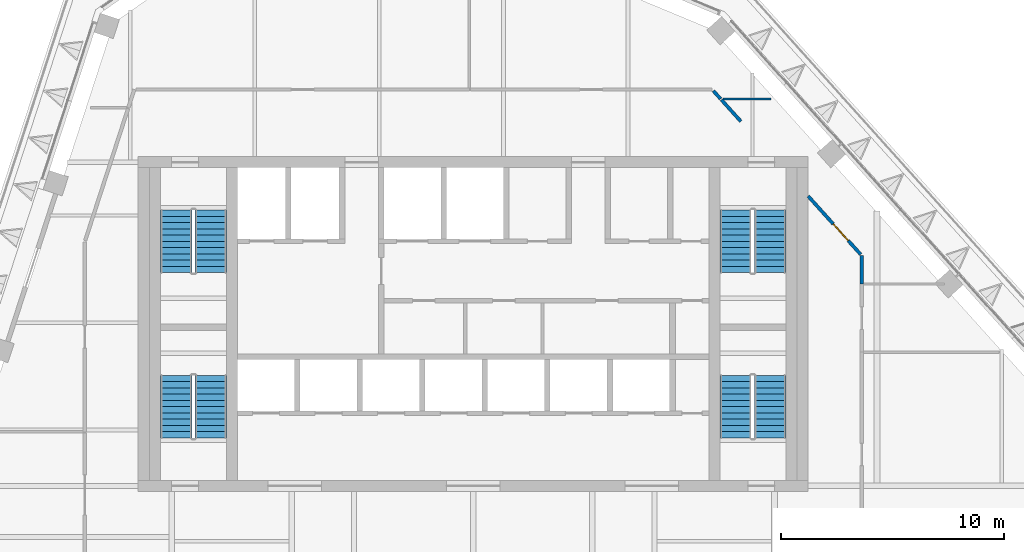
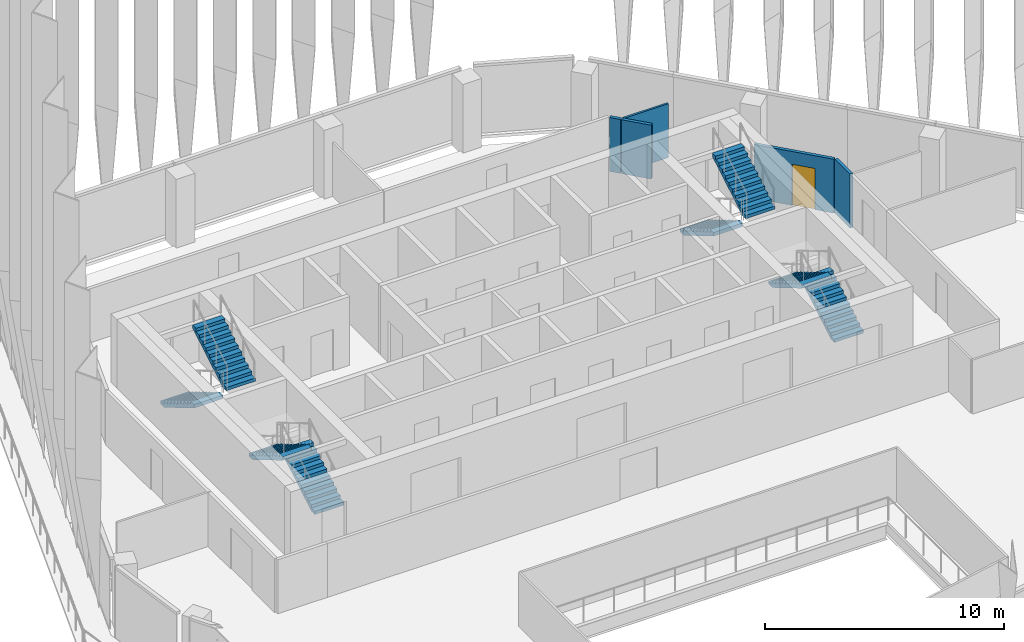
# One storey, part 10 of 21: 8 stair flights, 5 walls, 1 door, 1 opening, 4 elements without a shape of their own.
"""IFC4 building model written with IfcOpenShell, lengths in metres."""

from ifc_helpers import new_model, si_unit, direction, frame, frame_2d, origin, place, context, subcontext, project, spatial, polyline, rectangle, outline, extrude, material, layer, layer_set, type_object, element, fill, aggregate, save


model = new_model("IFC4")

# Units and contexts
model_context = context("Model", 3, precision=1e-05, world=origin(), true_north=direction((0.0, 1.0)))
body_context = subcontext(model_context, "Body", "Model", "MODEL_VIEW")
ifc_project = project(units=[si_unit("LENGTHUNIT", "METRE"), si_unit("AREAUNIT", "SQUARE_METRE"), si_unit("VOLUMEUNIT", "CUBIC_METRE"), si_unit("PLANEANGLEUNIT", "RADIAN"), si_unit("MASSUNIT", "GRAM", prefix="KILO")], contexts=[model_context])

# Site, building, storey
site_placement = place(None, origin())
site = spatial("IfcSite", under=ifc_project, at=site_placement, CompositionType="ELEMENT")
building_placement = place(site_placement, origin())
building = spatial("IfcBuilding", under=site, at=building_placement, Name="Isthmus Gate Tower", CompositionType="ELEMENT")
storey_placement = place(building_placement, frame((0.0, 0.0, 260.949951171875)))
storey = spatial("IfcBuildingStorey", under=building, at=storey_placement, Name="L66", CompositionType="ELEMENT", Elevation=260.949951171875)

# Walls
ifc_material_1 = material(Name="Gypsum board on steel studs, fire-rated", Category="steel")
ifc_layer_1 = layer(ifc_material_1, 0.14990234375)
ifc_layer_set_1 = layer_set([ifc_layer_1], Name="CORRIDOR WALL 150 60 MIN")
wall_type_1 = type_object("IfcWallType", Name="CORRIDOR WALL 150 60 MIN", PredefinedType="PARTITIONING", material=ifc_layer_set_1)
wall_1_placement = place(storey_placement, frame((17.39990234375, 10.56103515625, 0.0), z_axis=(0.0, 0.0, 1.0), x_axis=(0.0, -1.0, 0.0)))
element("IfcWall", 1, at=wall_1_placement, inside=storey, type_object=wall_type_1, Name="L66 Corridor Wall 150 60 Min", PredefinedType="PARTITIONING", context=body_context, shape_type="SweptSolid", body=[
    extrude(rectangle(XDim=1.27099609375, YDim=0.14990234375, at=frame_2d((0.635498046875, 0.0))), origin(), (0.0, 0.0, 1.0), 2.750732421875),
])
wall_2_placement = place(storey_placement, frame((10.752197265625, 17.9443359375, 0.0), z_axis=(0.0, 0.0, 1.0), x_axis=(0.669019774343, -0.74324460411, 0.0)))
element("IfcWall", 2, at=wall_2_placement, inside=storey, type_object=wall_type_1, Name="L66 Corridor Wall 150 60 Min", PredefinedType="PARTITIONING", context=body_context, shape_type="SweptSolid", body=[
    extrude(rectangle(XDim=0.489990234375, YDim=0.14990234375, at=frame_2d((0.2451171875, 0.0))), origin(), (0.0, 0.0, 1.0), 2.750732421875),
])
wall_3_placement = place(storey_placement, frame((11.113525390625, 17.542724609375, 0.0), z_axis=(0.0, 0.0, 1.0), x_axis=(0.669172057426, -0.743107500675, 0.0)))
element("IfcWall", 3, at=wall_3_placement, inside=storey, type_object=wall_type_1, Name="L66 Corridor Wall 150 60 Min", PredefinedType="PARTITIONING", context=body_context, shape_type="SweptSolid", body=[
    extrude(rectangle(XDim=1.301025390625, YDim=0.14990234375, at=frame_2d((0.650390625, 0.0))), origin(), (0.0, 0.0, 1.0), 2.750732421875),
])

# Wall, opening, door
wall_4_placement = place(storey_placement, frame((15.0, 13.22607421875, 0.0), z_axis=(0.0, 0.0, 1.0), x_axis=(0.669187491984, -0.743093601488, 0.0)))
wall_4 = element("IfcWall", 4, at=wall_4_placement, inside=storey, type_object=wall_type_1, Name="L66 Corridor Wall 150 60 Min", PredefinedType="PARTITIONING", context=body_context, shape_type="SweptSolid", body=[
    extrude(rectangle(XDim=3.511474609375, YDim=0.14990234375, at=frame_2d((1.755859375, 0.0))), origin(), (0.0, 0.0, 1.0), 2.750732421875),
])
opening_placement = place(wall_4_placement, frame((1.677001953125, 0.0, 0.0)))
opening = element("IfcOpeningElement", 5, at=opening_placement, cuts=wall_4, Name="Opening DT-T6A-03", PredefinedType="OPENING", context=body_context, shape_type="SweptSolid", body=[
    extrude(rectangle(XDim=1.0, YDim=2.10009765625, at=frame_2d((0.5, 1.050048828125))), frame((0.0, 0.0849609375, 0.0), z_axis=(0.0, -1.0, 0.0), x_axis=(1.0, 0.0, 0.0)), (0.0, 0.0, 1.0), 0.169921875),
])
ifc_material_2 = material(Name="Solid core timber door leaf, fire-rated", Category="wood")
door_type = type_object("IfcDoorType", Name="FIRE DOOR ROOM 1000 X 2100 60 MIN", OperationType="SINGLE_SWING_LEFT", PredefinedType="DOOR", material=ifc_material_2)
door_placement = place(opening_placement, origin())
door = element("IfcDoor", 6, at=door_placement, inside=storey, type_object=door_type, Name="L66 room door", OperationType="SINGLE_SWING_RIGHT", OverallHeight=2.10009765625, OverallWidth=1.0, PredefinedType="DOOR", context=body_context, shape_type="SweptSolid", body=[
    extrude(rectangle(XDim=1.0, YDim=2.10009765625, at=frame_2d((0.5, 1.050048828125))), frame((0.0, 0.02490234375, 0.0), z_axis=(0.0, -1.0, 0.0), x_axis=(1.0, 0.0, 0.0)), (0.0, 0.0, 1.0), 0.050048828125),
])
fill(opening, door)

# Wall
ifc_material_3 = material(Name="Gypsum board on steel studs, fire-rated", Category="steel")
ifc_layer_2 = layer(ifc_material_3, 0.10009765625)
ifc_layer_set_2 = layer_set([ifc_layer_2], Name="ROOM PARTITION 100 30 MIN")
wall_type_2 = type_object("IfcWallType", Name="ROOM PARTITION 100 30 MIN", PredefinedType="PARTITIONING", material=ifc_layer_set_2)
wall_5_placement = place(storey_placement, frame((11.180908203125, 17.580078125, 0.0), z_axis=(0.0, 0.0, 1.0), x_axis=(1.0, 0.0, 0.0)))
element("IfcWall", 7, at=wall_5_placement, inside=storey, type_object=wall_type_2, Name="L66 Room Partition 100 30 Min", PredefinedType="PARTITIONING", context=body_context, shape_type="SweptSolid", body=[
    extrude(rectangle(XDim=2.156005859375, YDim=0.10009765625, at=frame_2d((1.078125, 0.0))), origin(), (0.0, 0.0, 1.0), 2.750732421875),
])

# Stair, stair flights
ifc_material_4 = material(Name="Concrete f'c 40 MPa", Category="concrete")
stair_type = type_object("IfcStairType", Name="CORE STAIR 22 RISERS", PredefinedType="HALF_TURN_STAIR", material=ifc_material_4)
stair_1_placement = place(storey_placement, origin())
stair_1 = element("IfcStair", 8, at=stair_1_placement, inside=storey, type_object=stair_type, Name="L66 Exit Stair 1", PredefinedType="HALF_TURN_STAIR")
ifc_material_5 = material(Name="Concrete f'c 40 MPa", Category="concrete")
stair_flight_type = type_object("IfcStairFlightType", Name="STAIR FLIGHT RC 1400", PredefinedType="STRAIGHT", material=ifc_material_5)
stair_flight_1_placement = place(storey_placement, frame((-13.300048828125, 12.60009765625, 0.0), z_axis=(0.0, 0.0, 1.0), x_axis=(0.0, -1.0, 0.0)))
stair_flight_1 = element("IfcStairFlight", 9, at=stair_flight_1_placement, type_object=stair_flight_type, Name="ST1 flight 1", NumberOfRisers=11, NumberOfTreads=10, PredefinedType="STRAIGHT", RiserHeight=0.165909091, TreadLength=0.28, context=body_context, shape_type="SweptSolid", body=[
    extrude(outline(polyline([(0.0, 0.0), (0.0, 0.166015625), (0.280029296875, 0.166015625), (0.280029296875, 0.331787109375), (0.56005859375, 0.331787109375), (0.56005859375, 0.497802734375), (0.840087890625, 0.497802734375), (0.840087890625, 0.66357421875), (1.1201171875, 0.66357421875), (1.1201171875, 0.82958984375), (1.39990234375, 0.82958984375), (1.39990234375, 0.995361328125), (1.679931640625, 0.995361328125), (1.679931640625, 1.161376953125), (1.9599609375, 1.161376953125), (1.9599609375, 1.327392578125), (2.239990234375, 1.327392578125), (2.239990234375, 1.4931640625), (2.52001953125, 1.4931640625), (2.52001953125, 1.6591796875), (2.800048828125, 1.6591796875), (2.800048828125, 1.824951171875), (2.800048828125, 1.48486328125), (0.2939453125, 0.0), (0.0, 0.0)])), frame((0.0, 0.699951171875, 0.0), z_axis=(0.0, -1.0, 0.0), x_axis=(1.0, 0.0, 0.0)), (0.0, 0.0, 1.0), 1.39990234375),
])
stair_flight_2_placement = place(storey_placement, frame((-11.75, 9.800048828125, 1.824951171875), z_axis=(0.0, 0.0, 1.0), x_axis=(0.0, 1.0, 0.0)))
stair_flight_2 = element("IfcStairFlight", 10, at=stair_flight_2_placement, type_object=stair_flight_type, Name="ST1 flight 2", NumberOfRisers=11, NumberOfTreads=10, PredefinedType="STRAIGHT", RiserHeight=0.165909091, TreadLength=0.28, context=body_context, shape_type="SweptSolid", body=[
    extrude(outline(polyline([(0.0, 0.0), (0.0, 0.166015625), (0.280029296875, 0.166015625), (0.280029296875, 0.331787109375), (0.56005859375, 0.331787109375), (0.56005859375, 0.497802734375), (0.840087890625, 0.497802734375), (0.840087890625, 0.66357421875), (1.1201171875, 0.66357421875), (1.1201171875, 0.82958984375), (1.39990234375, 0.82958984375), (1.39990234375, 0.995361328125), (1.679931640625, 0.995361328125), (1.679931640625, 1.161376953125), (1.9599609375, 1.161376953125), (1.9599609375, 1.327392578125), (2.239990234375, 1.327392578125), (2.239990234375, 1.4931640625), (2.52001953125, 1.4931640625), (2.52001953125, 1.6591796875), (2.800048828125, 1.6591796875), (2.800048828125, 1.824951171875), (2.800048828125, 1.48486328125), (0.2939453125, 0.0), (0.0, 0.0)])), frame((0.0, 0.699951171875, 0.0), z_axis=(0.0, -1.0, 0.0), x_axis=(1.0, 0.0, 0.0)), (0.0, 0.0, 1.0), 1.39990234375),
])
aggregate(stair_1, [stair_flight_1, stair_flight_2])

stair_2_placement = place(storey_placement, origin())
stair_2 = element("IfcStair", 11, at=stair_2_placement, inside=storey, type_object=stair_type, Name="L66 Exit Stair 2", PredefinedType="HALF_TURN_STAIR")
stair_flight_3_placement = place(storey_placement, frame((11.75, 12.60009765625, 0.0), z_axis=(0.0, 0.0, 1.0), x_axis=(0.0, -1.0, 0.0)))
stair_flight_3 = element("IfcStairFlight", 12, at=stair_flight_3_placement, type_object=stair_flight_type, Name="ST2 flight 1", NumberOfRisers=11, NumberOfTreads=10, PredefinedType="STRAIGHT", RiserHeight=0.165909091, TreadLength=0.28, context=body_context, shape_type="SweptSolid", body=[
    extrude(outline(polyline([(0.0, 0.0), (0.0, 0.166015625), (0.280029296875, 0.166015625), (0.280029296875, 0.331787109375), (0.56005859375, 0.331787109375), (0.56005859375, 0.497802734375), (0.840087890625, 0.497802734375), (0.840087890625, 0.66357421875), (1.1201171875, 0.66357421875), (1.1201171875, 0.82958984375), (1.39990234375, 0.82958984375), (1.39990234375, 0.995361328125), (1.679931640625, 0.995361328125), (1.679931640625, 1.161376953125), (1.9599609375, 1.161376953125), (1.9599609375, 1.327392578125), (2.239990234375, 1.327392578125), (2.239990234375, 1.4931640625), (2.52001953125, 1.4931640625), (2.52001953125, 1.6591796875), (2.800048828125, 1.6591796875), (2.800048828125, 1.824951171875), (2.800048828125, 1.48486328125), (0.2939453125, 0.0), (0.0, 0.0)])), frame((0.0, 0.699951171875, 0.0), z_axis=(0.0, -1.0, 0.0), x_axis=(1.0, 0.0, 0.0)), (0.0, 0.0, 1.0), 1.39990234375),
])
stair_flight_4_placement = place(storey_placement, frame((13.300048828125, 9.800048828125, 1.824951171875), z_axis=(0.0, 0.0, 1.0), x_axis=(0.0, 1.0, 0.0)))
stair_flight_4 = element("IfcStairFlight", 13, at=stair_flight_4_placement, type_object=stair_flight_type, Name="ST2 flight 2", NumberOfRisers=11, NumberOfTreads=10, PredefinedType="STRAIGHT", RiserHeight=0.165909091, TreadLength=0.28, context=body_context, shape_type="SweptSolid", body=[
    extrude(outline(polyline([(0.0, 0.0), (0.0, 0.166015625), (0.280029296875, 0.166015625), (0.280029296875, 0.331787109375), (0.56005859375, 0.331787109375), (0.56005859375, 0.497802734375), (0.840087890625, 0.497802734375), (0.840087890625, 0.66357421875), (1.1201171875, 0.66357421875), (1.1201171875, 0.82958984375), (1.39990234375, 0.82958984375), (1.39990234375, 0.995361328125), (1.679931640625, 0.995361328125), (1.679931640625, 1.161376953125), (1.9599609375, 1.161376953125), (1.9599609375, 1.327392578125), (2.239990234375, 1.327392578125), (2.239990234375, 1.4931640625), (2.52001953125, 1.4931640625), (2.52001953125, 1.6591796875), (2.800048828125, 1.6591796875), (2.800048828125, 1.824951171875), (2.800048828125, 1.48486328125), (0.2939453125, 0.0), (0.0, 0.0)])), frame((0.0, 0.699951171875, 0.0), z_axis=(0.0, -1.0, 0.0), x_axis=(1.0, 0.0, 0.0)), (0.0, 0.0, 1.0), 1.39990234375),
])
aggregate(stair_2, [stair_flight_3, stair_flight_4])

stair_3_placement = place(storey_placement, origin())
stair_3 = element("IfcStair", 14, at=stair_3_placement, inside=storey, type_object=stair_type, Name="L66 Exit Stair 7", PredefinedType="HALF_TURN_STAIR")
stair_flight_5_placement = place(storey_placement, frame((-11.75, 2.39990234375, 0.0), z_axis=(0.0, 0.0, 1.0), x_axis=(0.0, 1.0, 0.0)))
stair_flight_5 = element("IfcStairFlight", 15, at=stair_flight_5_placement, type_object=stair_flight_type, Name="ST7 flight 1", NumberOfRisers=11, NumberOfTreads=10, PredefinedType="STRAIGHT", RiserHeight=0.165909091, TreadLength=0.28, context=body_context, shape_type="SweptSolid", body=[
    extrude(outline(polyline([(0.0, 0.0), (0.0, 0.166015625), (0.280029296875, 0.166015625), (0.280029296875, 0.331787109375), (0.56005859375, 0.331787109375), (0.56005859375, 0.497802734375), (0.840087890625, 0.497802734375), (0.840087890625, 0.66357421875), (1.1201171875, 0.66357421875), (1.1201171875, 0.82958984375), (1.39990234375, 0.82958984375), (1.39990234375, 0.995361328125), (1.679931640625, 0.995361328125), (1.679931640625, 1.161376953125), (1.9599609375, 1.161376953125), (1.9599609375, 1.327392578125), (2.239990234375, 1.327392578125), (2.239990234375, 1.4931640625), (2.52001953125, 1.4931640625), (2.52001953125, 1.6591796875), (2.800048828125, 1.6591796875), (2.800048828125, 1.824951171875), (2.800048828125, 1.48486328125), (0.2939453125, 0.0), (0.0, 0.0)])), frame((0.0, 0.699951171875, 0.0), z_axis=(0.0, -1.0, 0.0), x_axis=(1.0, 0.0, 0.0)), (0.0, 0.0, 1.0), 1.39990234375),
])
stair_flight_6_placement = place(storey_placement, frame((-13.300048828125, 5.199951171875, 1.824951171875), z_axis=(0.0, 0.0, 1.0), x_axis=(0.0, -1.0, 0.0)))
stair_flight_6 = element("IfcStairFlight", 16, at=stair_flight_6_placement, type_object=stair_flight_type, Name="ST7 flight 2", NumberOfRisers=11, NumberOfTreads=10, PredefinedType="STRAIGHT", RiserHeight=0.165909091, TreadLength=0.28, context=body_context, shape_type="SweptSolid", body=[
    extrude(outline(polyline([(0.0, 0.0), (0.0, 0.166015625), (0.280029296875, 0.166015625), (0.280029296875, 0.331787109375), (0.56005859375, 0.331787109375), (0.56005859375, 0.497802734375), (0.840087890625, 0.497802734375), (0.840087890625, 0.66357421875), (1.1201171875, 0.66357421875), (1.1201171875, 0.82958984375), (1.39990234375, 0.82958984375), (1.39990234375, 0.995361328125), (1.679931640625, 0.995361328125), (1.679931640625, 1.161376953125), (1.9599609375, 1.161376953125), (1.9599609375, 1.327392578125), (2.239990234375, 1.327392578125), (2.239990234375, 1.4931640625), (2.52001953125, 1.4931640625), (2.52001953125, 1.6591796875), (2.800048828125, 1.6591796875), (2.800048828125, 1.824951171875), (2.800048828125, 1.48486328125), (0.2939453125, 0.0), (0.0, 0.0)])), frame((0.0, 0.699951171875, 0.0), z_axis=(0.0, -1.0, 0.0), x_axis=(1.0, 0.0, 0.0)), (0.0, 0.0, 1.0), 1.39990234375),
])
aggregate(stair_3, [stair_flight_5, stair_flight_6])

stair_4_placement = place(storey_placement, origin())
stair_4 = element("IfcStair", 17, at=stair_4_placement, inside=storey, type_object=stair_type, Name="L66 Exit Stair 8", PredefinedType="HALF_TURN_STAIR")
stair_flight_7_placement = place(storey_placement, frame((13.300048828125, 2.39990234375, 0.0), z_axis=(0.0, 0.0, 1.0), x_axis=(0.0, 1.0, 0.0)))
stair_flight_7 = element("IfcStairFlight", 18, at=stair_flight_7_placement, type_object=stair_flight_type, Name="ST8 flight 1", NumberOfRisers=11, NumberOfTreads=10, PredefinedType="STRAIGHT", RiserHeight=0.165909091, TreadLength=0.28, context=body_context, shape_type="SweptSolid", body=[
    extrude(outline(polyline([(0.0, 0.0), (0.0, 0.166015625), (0.280029296875, 0.166015625), (0.280029296875, 0.331787109375), (0.56005859375, 0.331787109375), (0.56005859375, 0.497802734375), (0.840087890625, 0.497802734375), (0.840087890625, 0.66357421875), (1.1201171875, 0.66357421875), (1.1201171875, 0.82958984375), (1.39990234375, 0.82958984375), (1.39990234375, 0.995361328125), (1.679931640625, 0.995361328125), (1.679931640625, 1.161376953125), (1.9599609375, 1.161376953125), (1.9599609375, 1.327392578125), (2.239990234375, 1.327392578125), (2.239990234375, 1.4931640625), (2.52001953125, 1.4931640625), (2.52001953125, 1.6591796875), (2.800048828125, 1.6591796875), (2.800048828125, 1.824951171875), (2.800048828125, 1.48486328125), (0.2939453125, 0.0), (0.0, 0.0)])), frame((0.0, 0.699951171875, 0.0), z_axis=(0.0, -1.0, 0.0), x_axis=(1.0, 0.0, 0.0)), (0.0, 0.0, 1.0), 1.39990234375),
])
stair_flight_8_placement = place(storey_placement, frame((11.75, 5.199951171875, 1.824951171875), z_axis=(0.0, 0.0, 1.0), x_axis=(0.0, -1.0, 0.0)))
stair_flight_8 = element("IfcStairFlight", 19, at=stair_flight_8_placement, type_object=stair_flight_type, Name="ST8 flight 2", NumberOfRisers=11, NumberOfTreads=10, PredefinedType="STRAIGHT", RiserHeight=0.165909091, TreadLength=0.28, context=body_context, shape_type="SweptSolid", body=[
    extrude(outline(polyline([(0.0, 0.0), (0.0, 0.166015625), (0.280029296875, 0.166015625), (0.280029296875, 0.331787109375), (0.56005859375, 0.331787109375), (0.56005859375, 0.497802734375), (0.840087890625, 0.497802734375), (0.840087890625, 0.66357421875), (1.1201171875, 0.66357421875), (1.1201171875, 0.82958984375), (1.39990234375, 0.82958984375), (1.39990234375, 0.995361328125), (1.679931640625, 0.995361328125), (1.679931640625, 1.161376953125), (1.9599609375, 1.161376953125), (1.9599609375, 1.327392578125), (2.239990234375, 1.327392578125), (2.239990234375, 1.4931640625), (2.52001953125, 1.4931640625), (2.52001953125, 1.6591796875), (2.800048828125, 1.6591796875), (2.800048828125, 1.824951171875), (2.800048828125, 1.48486328125), (0.2939453125, 0.0), (0.0, 0.0)])), frame((0.0, 0.699951171875, 0.0), z_axis=(0.0, -1.0, 0.0), x_axis=(1.0, 0.0, 0.0)), (0.0, 0.0, 1.0), 1.39990234375),
])
aggregate(stair_4, [stair_flight_7, stair_flight_8])

save(model, "model.ifc")
